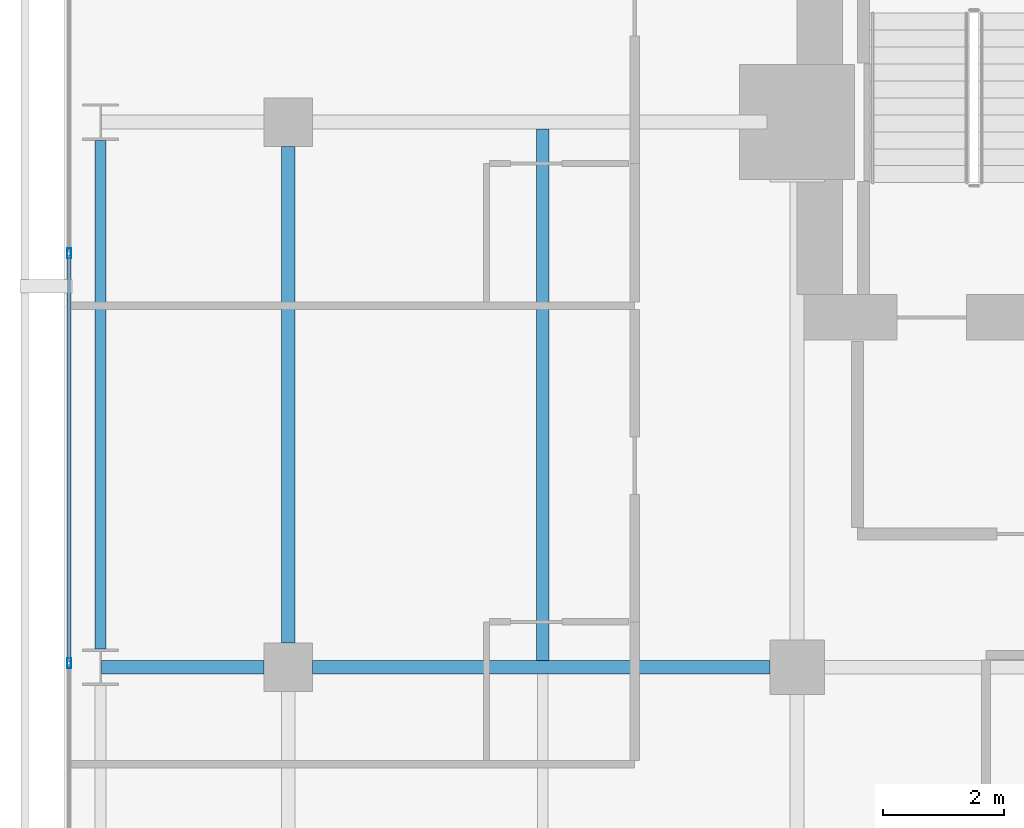
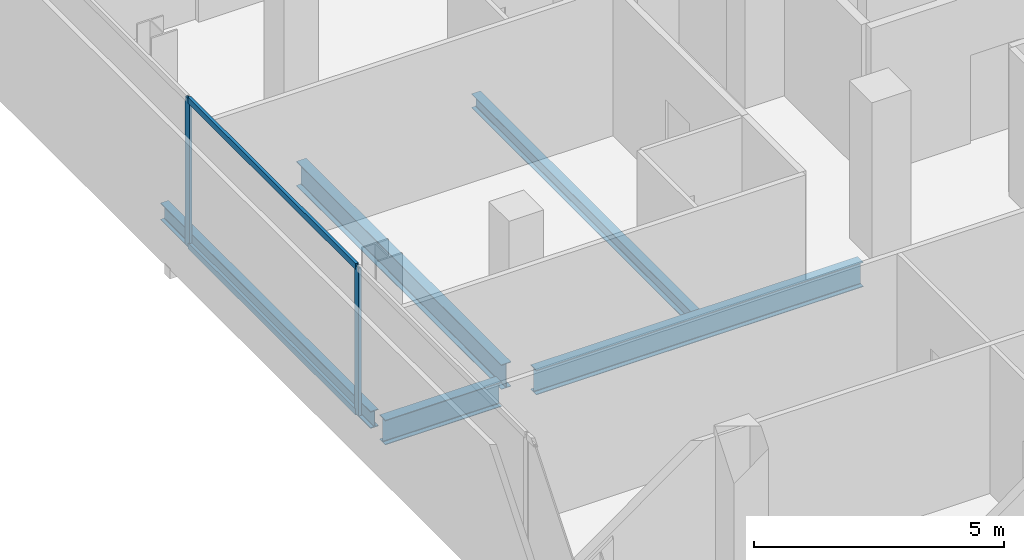
# One storey, part 18 of 34: 5 beams, 4 members, 1 element without a shape of its own.
"""IFC4 building model written with IfcOpenShell, lengths in metres."""

from ifc_helpers import new_model, si_unit, direction, frame, origin, origin_2d, place, context, subcontext, project, spatial, hollow_rectangle, i_section, extrude, material, layer, layer_set, material_profile, profile_set, type_object, element, aggregate, save


model = new_model("IFC4")

# Units and contexts
model_context = context("Model", 3, precision=1e-05, world=origin(), true_north=direction((0.0, 1.0)))
body_context = subcontext(model_context, "Body", "Model", "MODEL_VIEW")
ifc_project = project(units=[si_unit("LENGTHUNIT", "METRE"), si_unit("AREAUNIT", "SQUARE_METRE"), si_unit("VOLUMEUNIT", "CUBIC_METRE"), si_unit("PLANEANGLEUNIT", "RADIAN"), si_unit("MASSUNIT", "GRAM", prefix="KILO")], contexts=[model_context])

# Site, building, storey
site_placement = place(None, origin())
site = spatial("IfcSite", under=ifc_project, at=site_placement, CompositionType="ELEMENT")
building_placement = place(site_placement, origin())
building = spatial("IfcBuilding", under=site, at=building_placement, Name="Maruvema Waterfront Hotel and Observation Tower", CompositionType="ELEMENT")
storey_placement = place(building_placement, frame((0.0, 0.0, 192.85009765625)))
storey = spatial("IfcBuildingStorey", under=building, at=storey_placement, Name="L47", CompositionType="ELEMENT", Elevation=192.85009765625)

# Curtain wall, members
ifc_material_1 = material(Name="Anodised bronze aluminium and solar-control low-E IGU", Category="aluminium")
ifc_layer = layer(ifc_material_1, 0.159912109375, Name="Zone 2 Amber Inner Thermal Curtain Wall System CW-03")
ifc_layer_set = layer_set([ifc_layer], Name="Anodised bronze aluminium and solar-control low-E IGU")
curtain_wall_type = type_object("IfcCurtainWallType", Name="Zone 2 Amber Inner Thermal Curtain Wall System CW-03", PredefinedType="USERDEFINED", material=ifc_layer_set)
curtain_wall_placement = place(storey_placement, origin())
curtain_wall = element("IfcCurtainWall", 1, at=curtain_wall_placement, inside=storey, type_object=curtain_wall_type, Name="L47 Curtain Wall CW-L47-W", ObjectType="UNITISED CURTAIN WALL", PredefinedType="USERDEFINED")
ifc_material_2 = material(Name="Anodised architectural bronze aluminium", Category="aluminium")
ifc_material_profile_1 = material_profile(ifc_material_2, hollow_rectangle(XDim=0.070068359375, YDim=0.14990234375, WallThickness=0.00390625, at=origin_2d()), Name="ALU-T70x150")
ifc_profile_set_1 = profile_set([ifc_material_profile_1], Name="Anodised architectural bronze aluminium")
member_type_1 = type_object("IfcMemberType", Name="Curtain Wall Horizontal Transom ALU-T70x150", PredefinedType="USERDEFINED", material=ifc_profile_set_1)
member_1_placement = place(storey_placement, frame((13.179931640625, 42.80322265625, 0.02978515625), z_axis=(0.0, -1.0, 0.0), x_axis=(1.0, 0.0, 0.0)))
member_1 = element("IfcMember", 2, at=member_1_placement, type_object=member_type_1, Name="CW-03 transom 2.1", ObjectType="TRANSOM", PredefinedType="USERDEFINED", context=body_context, shape_type="SweptSolid", body=[
    extrude(hollow_rectangle(XDim=0.070068359375, YDim=0.14990234375, WallThickness=0.00390625, at=origin_2d()), origin(), (0.0, 0.0, 1.0), 6.70654296875),
])
member_2_placement = place(storey_placement, frame((13.179931640625, 42.80322265625, 3.579833984375), z_axis=(0.0, -1.0, 0.0), x_axis=(1.0, 0.0, 0.0)))
member_2 = element("IfcMember", 3, at=member_2_placement, type_object=member_type_1, Name="CW-03 transom 2.2", ObjectType="TRANSOM", PredefinedType="USERDEFINED", context=body_context, shape_type="SweptSolid", body=[
    extrude(hollow_rectangle(XDim=0.070068359375, YDim=0.14990234375, WallThickness=0.00390625, at=origin_2d()), origin(), (0.0, 0.0, 1.0), 6.70654296875),
])
ifc_material_3 = material(Name="Anodised architectural bronze aluminium", Category="aluminium")
ifc_material_profile_2 = material_profile(ifc_material_3, hollow_rectangle(XDim=0.06494140625, YDim=0.1650390625, WallThickness=0.00390625, at=origin_2d()), Name="ALU-M65x165")
ifc_profile_set_2 = profile_set([ifc_material_profile_2], Name="Anodised architectural bronze aluminium")
member_type_2 = type_object("IfcMemberType", Name="Curtain Wall Primary Mullion ALU-M65x165", PredefinedType="MULLION", material=ifc_profile_set_2)
member_3_placement = place(storey_placement, frame((13.179931640625, 42.833251953125, 0.0), z_axis=(0.0, 0.0, 1.0), x_axis=(1.0, 0.0, 0.0)))
member_3 = element("IfcMember", 4, at=member_3_placement, type_object=member_type_2, Name="CW-03 mullion 2", PredefinedType="MULLION", context=body_context, shape_type="SweptSolid", body=[
    extrude(hollow_rectangle(XDim=0.06494140625, YDim=0.1650390625, WallThickness=0.00390625, at=origin_2d()), origin(), (0.0, 0.0, 1.0), 3.60986328125),
])
member_4_placement = place(storey_placement, frame((13.179931640625, 36.066650390625, 0.0), z_axis=(0.0, 0.0, 1.0), x_axis=(1.0, 0.0, 0.0)))
member_4 = element("IfcMember", 5, at=member_4_placement, type_object=member_type_2, Name="CW-03 mullion 3", PredefinedType="MULLION", context=body_context, shape_type="SweptSolid", body=[
    extrude(hollow_rectangle(XDim=0.06494140625, YDim=0.1650390625, WallThickness=0.00390625, at=origin_2d()), origin(), (0.0, 0.0, 1.0), 3.60986328125),
])
aggregate(curtain_wall, [member_3, member_4, member_1, member_2])

# Beams
ifc_material_4 = material(Name="Steel ASTM A572 Grade 50", Category="steel")
ifc_material_profile_3 = material_profile(ifc_material_4, i_section(OverallWidth=0.180908203125, OverallDepth=0.4169921875, WebThickness=0.010986328125, FlangeThickness=0.018310546875, FilletRadius=0.014892578125, at=origin_2d()), Name="W410x85.0")
ifc_profile_set_3 = profile_set([ifc_material_profile_3], Name="Steel ASTM A572 Grade 50")
beam_type_1 = type_object("IfcBeamType", Name="Perimeter Spandrel Beam W410x85.0", PredefinedType="SPANDREL", material=ifc_profile_set_3)
beam_1_placement = place(storey_placement, frame((13.699951171875, 36.300048828125, -0.448486328125), z_axis=(0.0, 1.0, 0.0), x_axis=(-1.0, 0.0, 0.0)))
element("IfcBeam", 6, at=beam_1_placement, inside=storey, type_object=beam_type_1, Name="L47 Floor Girder NS-04", PredefinedType="SPANDREL", context=body_context, shape_type="SweptSolid", body=[
    extrude(i_section(OverallWidth=0.180908203125, OverallDepth=0.4169921875, WebThickness=0.010986328125, FlangeThickness=0.018310546875, FilletRadius=0.014892578125, at=origin_2d()), origin(), (0.0, 0.0, 1.0), 8.39990234375),
])
ifc_material_5 = material(Name="Steel ASTM A572 Grade 50", Category="steel")
ifc_material_profile_4 = material_profile(ifc_material_5, i_section(OverallWidth=0.22802734375, OverallDepth=0.60302734375, WebThickness=0.010498046875, FlangeThickness=0.014892578125, FilletRadius=0.01806640625, at=origin_2d()), Name="W610x101.0")
ifc_profile_set_4 = profile_set([ifc_material_profile_4], Name="Steel ASTM A572 Grade 50")
beam_type_2 = type_object("IfcBeamType", Name="Primary Floor Girder W610x101.0", PredefinedType="BEAM", material=ifc_profile_set_4)
beam_2_placement = place(storey_placement, frame((13.71240234375, 36.0, -0.54150390625), z_axis=(1.0, 0.0, 0.0), x_axis=(0.0, 1.0, 0.0)))
element("IfcBeam", 7, at=beam_2_placement, inside=storey, type_object=beam_type_2, Name="L47 Floor Girder EW-23", PredefinedType="BEAM", context=body_context, shape_type="SweptSolid", body=[
    extrude(i_section(OverallWidth=0.22802734375, OverallDepth=0.60302734375, WebThickness=0.010498046875, FlangeThickness=0.014892578125, FilletRadius=0.01806640625, at=origin_2d()), origin(), (0.0, 0.0, 1.0), 2.6875),
])
beam_3_placement = place(storey_placement, frame((17.199951171875, 36.0, -0.54150390625), z_axis=(1.0, 0.0, 0.0), x_axis=(0.0, 1.0, 0.0)))
element("IfcBeam", 8, at=beam_3_placement, inside=storey, type_object=beam_type_2, Name="L47 Floor Girder EW-24", PredefinedType="BEAM", context=body_context, shape_type="SweptSolid", body=[
    extrude(i_section(OverallWidth=0.22802734375, OverallDepth=0.60302734375, WebThickness=0.010498046875, FlangeThickness=0.014892578125, FilletRadius=0.01806640625, at=origin_2d()), origin(), (0.0, 0.0, 1.0), 7.550048828125),
])
beam_4_placement = place(storey_placement, frame((16.800048828125, 36.39990234375, -0.54150390625), z_axis=(0.0, 1.0, 0.0), x_axis=(-1.0, 0.0, 0.0)))
element("IfcBeam", 9, at=beam_4_placement, inside=storey, type_object=beam_type_2, Name="L47 Floor Girder NS-08", PredefinedType="BEAM", context=body_context, shape_type="SweptSolid", body=[
    extrude(i_section(OverallWidth=0.22802734375, OverallDepth=0.60302734375, WebThickness=0.010498046875, FlangeThickness=0.014892578125, FilletRadius=0.01806640625, at=origin_2d()), origin(), (0.0, 0.0, 1.0), 8.2001953125),
])
ifc_material_6 = material(Name="Steel ASTM A572 Grade 50", Category="steel")
ifc_material_profile_5 = material_profile(ifc_material_6, i_section(OverallWidth=0.202880859375, OverallDepth=0.346923828125, WebThickness=0.0078125, FlangeThickness=0.013427734375, FilletRadius=0.014892578125, at=origin_2d()), Name="W360x64.0")
ifc_profile_set_5 = profile_set([ifc_material_profile_5], Name="Steel ASTM A572 Grade 50")
beam_type_3 = type_object("IfcBeamType", Name="Secondary Floor Joist W360x64.0", PredefinedType="JOIST", material=ifc_profile_set_5)
beam_5_placement = place(storey_placement, frame((21.0, 36.114013671875, -0.41357421875), z_axis=(0.0, 1.0, 0.0), x_axis=(-1.0, 0.0, 0.0)))
element("IfcBeam", 10, at=beam_5_placement, inside=storey, type_object=beam_type_3, Name="L47 Secondary Floor Joist JS-04", PredefinedType="JOIST", context=body_context, shape_type="SweptSolid", body=[
    extrude(i_section(OverallWidth=0.202880859375, OverallDepth=0.346923828125, WebThickness=0.0078125, FlangeThickness=0.013427734375, FilletRadius=0.014892578125, at=origin_2d()), origin(), (0.0, 0.0, 1.0), 8.77197265625),
])

save(model, "model.ifc")
